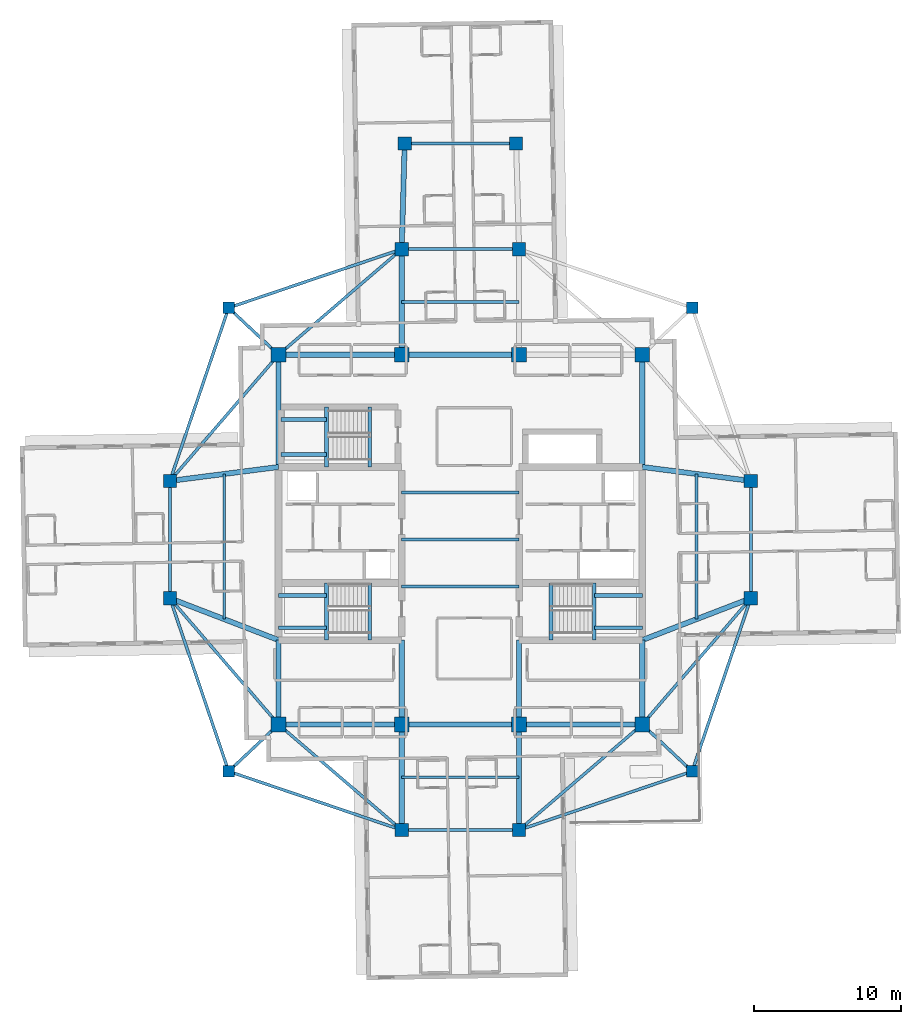
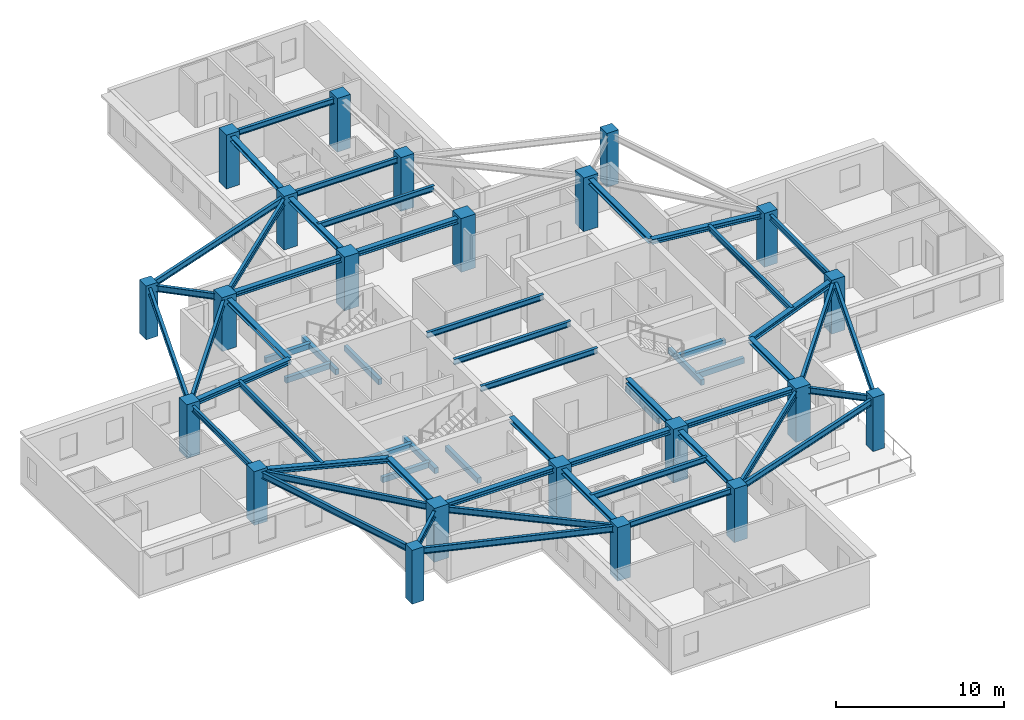
# One storey, part 1 of 13: 58 beams, 22 columns.
"""IFC4 building model written with IfcOpenShell, lengths in metres."""

from ifc_helpers import new_model, si_unit, direction, frame, origin, origin_2d, place, context, subcontext, project, spatial, rectangle, i_section, extrude, material, material_profile, profile_set, type_object, element, save


model = new_model("IFC4")

# Units and contexts
model_context = context("Model", 3, precision=1e-05, world=origin(), true_north=direction((0.0, 1.0)))
body_context = subcontext(model_context, "Body", "Model", "MODEL_VIEW")
ifc_project = project(units=[si_unit("LENGTHUNIT", "METRE"), si_unit("AREAUNIT", "SQUARE_METRE"), si_unit("VOLUMEUNIT", "CUBIC_METRE"), si_unit("PLANEANGLEUNIT", "RADIAN"), si_unit("MASSUNIT", "GRAM", prefix="KILO")], contexts=[model_context])

# Site, building, storey
site_placement = place(None, origin())
site = spatial("IfcSite", under=ifc_project, at=site_placement, CompositionType="ELEMENT")
building_placement = place(site_placement, origin())
building = spatial("IfcBuilding", under=site, at=building_placement, Name="Qingluan Cross Belvedere", CompositionType="ELEMENT")
storey_placement = place(building_placement, frame((0.0, 0.0, 220.800048828125)))
storey = spatial("IfcBuildingStorey", under=building, at=storey_placement, Name="L55", CompositionType="ELEMENT", Elevation=220.800048828125)

# Columns
ifc_material_1 = material(Name="Concrete C50", Category="concrete")
ifc_material_profile_1 = material_profile(ifc_material_1, rectangle(XDim=1.0, YDim=1.0, at=origin_2d()), Name="RC1000x1000")
ifc_profile_set_1 = profile_set([ifc_material_profile_1], Name="Concrete C50")
column_type_1 = type_object("IfcColumnType", Name="Column_RC1000x1000", PredefinedType="COLUMN", material=ifc_profile_set_1)
for number, where, z_axis, x_axis, name in (
    (1, (-12.39990234375, -12.60009765625, 0.0), (0.0, 0.0, 1.0), (1.0, 0.0, 0.0), "Hub column L55-HC1"),
    (2, (12.39990234375, -12.60009765625, 0.0), (0.0, 0.0, 1.0), (1.0, 0.0, 0.0), "Hub column L55-HC2"),
    (3, (12.39990234375, 12.60009765625, 0.0), (0.0, 0.0, 1.0), (1.0, 0.0, 0.0), "Hub column L55-HC3"),
    (4, (-12.39990234375, 12.60009765625, 0.0), (0.0, 0.0, 1.0), (1.0, 0.0, 0.0), "Hub column L55-HC4"),
    (5, (-4.0, -12.60009765625, 0.0), (0.0, 0.0, 1.0), (1.0, 0.0, 0.0), "Hub column L55-HC5"),
    (6, (4.0, -12.60009765625, 0.0), (0.0, 0.0, 1.0), (1.0, 0.0, 0.0), "Hub column L55-HC6"),
    (7, (4.0, 12.60009765625, 0.0), (0.0, 0.0, 1.0), (1.0, 0.0, 0.0), "Hub column L55-HC7"),
    (8, (-4.0, 12.60009765625, 0.0), (0.0, 0.0, 1.0), (1.0, 0.0, 0.0), "Hub column L55-HC8"),
):
    element("IfcColumn", number, at=place(storey_placement, frame(where, z_axis=z_axis, x_axis=x_axis)), inside=storey, type_object=column_type_1, Name=name, PredefinedType="COLUMN", context=body_context, shape_type="SweptSolid", body=[
        extrude(rectangle(XDim=1.0, YDim=1.0, at=origin_2d()), origin(), (0.0, 0.0, 1.0), 3.89990234375),
    ])
ifc_material_2 = material(Name="Concrete C50", Category="concrete")
ifc_material_profile_2 = material_profile(ifc_material_2, rectangle(XDim=0.800048828125, YDim=0.800048828125, at=origin_2d()), Name="RC800x800")
ifc_profile_set_2 = profile_set([ifc_material_profile_2], Name="Concrete C50")
column_type_2 = type_object("IfcColumnType", Name="Column_RC800x800", PredefinedType="COLUMN", material=ifc_profile_set_2)
for number, where, z_axis, x_axis, name in (
    (9, (15.800048828125, 15.800048828125, 0.0), (0.0, 0.0, 1.0), (1.0, 0.0, 0.0), "Corner column L55-RNE"),
    (10, (-15.800048828125, 15.800048828125, 0.0), (0.0, 0.0, 1.0), (1.0, 0.0, 0.0), "Corner column L55-RNW"),
    (11, (-15.800048828125, -15.800048828125, 0.0), (0.0, 0.0, 1.0), (1.0, 0.0, 0.0), "Corner column L55-RSW"),
    (12, (15.800048828125, -15.800048828125, 0.0), (0.0, 0.0, 1.0), (1.0, 0.0, 0.0), "Corner column L55-RSE"),
):
    element("IfcColumn", number, at=place(storey_placement, frame(where, z_axis=z_axis, x_axis=x_axis)), inside=storey, type_object=column_type_2, Name=name, PredefinedType="COLUMN", context=body_context, shape_type="SweptSolid", body=[
        extrude(rectangle(XDim=0.800048828125, YDim=0.800048828125, at=origin_2d()), origin(), (0.0, 0.0, 1.0), 3.89990234375),
    ])
ifc_material_3 = material(Name="Concrete C50", Category="concrete")
ifc_material_profile_3 = material_profile(ifc_material_3, rectangle(XDim=0.89990234375, YDim=0.89990234375, at=origin_2d()), Name="RC900x900")
ifc_profile_set_3 = profile_set([ifc_material_profile_3], Name="Concrete C50")
column_type_3 = type_object("IfcColumnType", Name="Column_RC900x900", PredefinedType="COLUMN", material=ifc_profile_set_3)
for number, where, z_axis, x_axis, name in (
    (13, (19.800048828125, -4.0, 0.0), (0.0, 0.0, 1.0), (1.0, 0.0, 0.0), "Arm column L55-EIA"),
    (14, (19.800048828125, 4.0, 0.0), (0.0, 0.0, 1.0), (1.0, 0.0, 0.0), "Arm column L55-EIB"),
    (15, (-19.800048828125, -4.0, 0.0), (0.0, 0.0, 1.0), (1.0, 0.0, 0.0), "Arm column L55-WIA"),
    (16, (-19.800048828125, 4.0, 0.0), (0.0, 0.0, 1.0), (1.0, 0.0, 0.0), "Arm column L55-WIB"),
    (17, (-4.0, -19.800048828125, 0.0), (0.0, 0.0, 1.0), (1.0, 0.0, 0.0), "Arm column L55-SIA"),
    (18, (4.0, -19.800048828125, 0.0), (0.0, 0.0, 1.0), (1.0, 0.0, 0.0), "Arm column L55-SIB"),
    (19, (-4.0, 19.800048828125, 0.0), (0.0, 0.0, 1.0), (1.0, 0.0, 0.0), "Arm column L55-NIA"),
    (20, (4.0, 19.800048828125, 0.0), (0.0, 0.0, 1.0), (1.0, 0.0, 0.0), "Arm column L55-NIB"),
    (21, (-3.800048828125, 27.0, 0.0), (0.0, 0.0, 1.0), (1.0, 0.0, 0.0), "Arm column L55-NOA"),
    (22, (3.800048828125, 27.0, 0.0), (0.0, 0.0, 1.0), (1.0, 0.0, 0.0), "Arm column L55-NOB"),
):
    element("IfcColumn", number, at=place(storey_placement, frame(where, z_axis=z_axis, x_axis=x_axis)), inside=storey, type_object=column_type_3, Name=name, PredefinedType="COLUMN", context=body_context, shape_type="SweptSolid", body=[
        extrude(rectangle(XDim=0.89990234375, YDim=0.89990234375, at=origin_2d()), origin(), (0.0, 0.0, 1.0), 3.89990234375),
    ])

# Beams
ifc_material_4 = material(Name="Concrete C45", Category="concrete")
ifc_material_profile_4 = material_profile(ifc_material_4, rectangle(XDim=0.25, YDim=0.39990234375, at=origin_2d()), Name="RC250x400")
ifc_profile_set_4 = profile_set([ifc_material_profile_4], Name="Concrete C45")
beam_type_1 = type_object("IfcBeamType", Name="RC_Lintel_RC250x400", PredefinedType="LINTEL", material=ifc_profile_set_4)
for number, where, z_axis, x_axis, name in (
    (23, (-6.179931640625, -6.85009765625, -0.199951171875), (0.0, 1.0, 0.0), (-1.0, 0.0, 0.0), "Stair ST1 landing beam L55"),
    (24, (6.179931640625, -6.85009765625, -0.199951171875), (0.0, 1.0, 0.0), (-1.0, 0.0, 0.0), "Stair ST2 landing beam L55"),
):
    element("IfcBeam", number, at=place(storey_placement, frame(where, z_axis=z_axis, x_axis=x_axis)), inside=storey, type_object=beam_type_1, Name=name, PredefinedType="LINTEL", context=body_context, shape_type="SweptSolid", body=[
        extrude(rectangle(XDim=0.25, YDim=0.39990234375, at=origin_2d()), origin(), (0.0, 0.0, 1.0), 3.89013671875),
    ])
beam_1_placement = place(storey_placement, frame((-6.179931640625, 4.949951171875, -0.199951171875), z_axis=(0.0, 1.0, 0.0), x_axis=(-1.0, 0.0, 0.0)))
element("IfcBeam", 25, at=beam_1_placement, inside=storey, type_object=beam_type_1, Name="Stair ST3 landing beam L55", PredefinedType="LINTEL", context=body_context, shape_type="SweptSolid", body=[
    extrude(rectangle(XDim=0.25, YDim=0.39990234375, at=origin_2d()), origin(), (0.0, 0.0, 1.0), 4.090087890625),
])
beam_2_placement = place(storey_placement, frame((-9.1298828125, -6.85009765625, 1.550048828125), z_axis=(0.0, 1.0, 0.0), x_axis=(-1.0, 0.0, 0.0)))
element("IfcBeam", 26, at=beam_2_placement, inside=storey, type_object=beam_type_1, Name="Stair ST1 beam A L55", PredefinedType="LINTEL", context=body_context, shape_type="SweptSolid", body=[
    extrude(rectangle(XDim=0.25, YDim=0.39990234375, at=origin_2d()), origin(), (0.0, 0.0, 1.0), 3.89013671875),
])
for number, where, z_axis, x_axis, name in (
    (27, (-12.39990234375, -6.0, 1.550048828125), (1.0, 0.0, 0.0), (0.0, 1.0, 0.0), "Stair ST1 beam B L55"),
    (28, (-12.39990234375, -3.81005859375, 1.550048828125), (1.0, 0.0, 0.0), (0.0, 1.0, 0.0), "Stair ST1 beam C L55"),
):
    element("IfcBeam", number, at=place(storey_placement, frame(where, z_axis=z_axis, x_axis=x_axis)), inside=storey, type_object=beam_type_1, Name=name, PredefinedType="LINTEL", context=body_context, shape_type="SweptSolid", body=[
        extrude(rectangle(XDim=0.25, YDim=0.39990234375, at=origin_2d()), origin(), (0.0, 0.0, 1.0), 3.27001953125),
    ])
beam_3_placement = place(storey_placement, frame((9.1298828125, -6.85009765625, 1.550048828125), z_axis=(0.0, 1.0, 0.0), x_axis=(-1.0, 0.0, 0.0)))
element("IfcBeam", 29, at=beam_3_placement, inside=storey, type_object=beam_type_1, Name="Stair ST2 beam A L55", PredefinedType="LINTEL", context=body_context, shape_type="SweptSolid", body=[
    extrude(rectangle(XDim=0.25, YDim=0.39990234375, at=origin_2d()), origin(), (0.0, 0.0, 1.0), 3.89013671875),
])
for number, where, z_axis, x_axis, name in (
    (30, (12.39990234375, -6.0, 1.550048828125), (-1.0, 0.0, 0.0), (0.0, -1.0, 0.0), "Stair ST2 beam B L55"),
    (31, (12.39990234375, -3.81005859375, 1.550048828125), (-1.0, 0.0, 0.0), (0.0, -1.0, 0.0), "Stair ST2 beam C L55"),
):
    element("IfcBeam", number, at=place(storey_placement, frame(where, z_axis=z_axis, x_axis=x_axis)), inside=storey, type_object=beam_type_1, Name=name, PredefinedType="LINTEL", context=body_context, shape_type="SweptSolid", body=[
        extrude(rectangle(XDim=0.25, YDim=0.39990234375, at=origin_2d()), origin(), (0.0, 0.0, 1.0), 3.27001953125),
    ])
beam_4_placement = place(storey_placement, frame((-9.1298828125, 4.949951171875, 1.550048828125), z_axis=(0.0, 1.0, 0.0), x_axis=(-1.0, 0.0, 0.0)))
element("IfcBeam", 32, at=beam_4_placement, inside=storey, type_object=beam_type_1, Name="Stair ST3 beam A L55", PredefinedType="LINTEL", context=body_context, shape_type="SweptSolid", body=[
    extrude(rectangle(XDim=0.25, YDim=0.39990234375, at=origin_2d()), origin(), (0.0, 0.0, 1.0), 4.090087890625),
])
for number, where, z_axis, x_axis, name in (
    (33, (-12.219970703125, 5.800048828125, 1.550048828125), (1.0, 0.0, 0.0), (0.0, 1.0, 0.0), "Stair ST3 beam B L55"),
    (34, (-12.219970703125, 8.18994140625, 1.550048828125), (1.0, 0.0, 0.0), (0.0, 1.0, 0.0), "Stair ST3 beam C L55"),
):
    element("IfcBeam", number, at=place(storey_placement, frame(where, z_axis=z_axis, x_axis=x_axis)), inside=storey, type_object=beam_type_1, Name=name, PredefinedType="LINTEL", context=body_context, shape_type="SweptSolid", body=[
        extrude(rectangle(XDim=0.25, YDim=0.39990234375, at=origin_2d()), origin(), (0.0, 0.0, 1.0), 3.090087890625),
    ])
ifc_material_5 = material(Name="Steel Q420GJB", Category="steel")
ifc_material_profile_5 = material_profile(ifc_material_5, i_section(OverallWidth=0.199951171875, OverallDepth=0.39990234375, WebThickness=0.008056640625, FlangeThickness=0.012939453125, FilletRadius=0.012939453125, at=origin_2d()), Name="HN400x200x8x13")
ifc_profile_set_5 = profile_set([ifc_material_profile_5], Name="Steel Q420GJB")
beam_type_2 = type_object("IfcBeamType", Name="Steel_Beam_HN400x200x8x13", PredefinedType="JOIST", material=ifc_profile_set_5)
for number, where, z_axis, x_axis, name in (
    (35, (-4.0, -3.199951171875, 3.5), (1.0, 0.0, 0.0), (0.0, 1.0, 0.0), "Hall beam L55-CH1"),
    (36, (-4.0, 0.0, 3.5), (1.0, 0.0, 0.0), (0.0, 1.0, 0.0), "Hall beam L55-CH2"),
    (37, (-4.0, 3.199951171875, 3.5), (1.0, 0.0, 0.0), (0.0, 1.0, 0.0), "Hall beam L55-CH3"),
    (38, (19.800048828125, -4.0, 3.5), (0.0, 1.0, 0.0), (-1.0, 0.0, 0.0), "Arm E tie L55"),
):
    element("IfcBeam", number, at=place(storey_placement, frame(where, z_axis=z_axis, x_axis=x_axis)), inside=storey, type_object=beam_type_2, Name=name, PredefinedType="JOIST", context=body_context, shape_type="SweptSolid", body=[
        extrude(i_section(OverallWidth=0.199951171875, OverallDepth=0.39990234375, WebThickness=0.008056640625, FlangeThickness=0.012939453125, FilletRadius=0.012939453125, at=origin_2d()), origin(), (0.0, 0.0, 1.0), 8.0),
    ])
beam_5_placement = place(storey_placement, frame((16.10009765625, -5.425048828125, 3.5), z_axis=(0.0, 1.0, 0.0), x_axis=(-1.0, 0.0, 0.0)))
element("IfcBeam", 39, at=beam_5_placement, inside=storey, type_object=beam_type_2, Name="Arm E beam L55", PredefinedType="JOIST", context=body_context, shape_type="SweptSolid", body=[
    extrude(i_section(OverallWidth=0.199951171875, OverallDepth=0.39990234375, WebThickness=0.008056640625, FlangeThickness=0.012939453125, FilletRadius=0.012939453125, at=origin_2d()), origin(), (0.0, 0.0, 1.0), 9.900146484375),
])
beam_6_placement = place(storey_placement, frame((-19.800048828125, -4.0, 3.5), z_axis=(0.0, 1.0, 0.0), x_axis=(-1.0, 0.0, 0.0)))
element("IfcBeam", 40, at=beam_6_placement, inside=storey, type_object=beam_type_2, Name="Arm W tie L55", PredefinedType="JOIST", context=body_context, shape_type="SweptSolid", body=[
    extrude(i_section(OverallWidth=0.199951171875, OverallDepth=0.39990234375, WebThickness=0.008056640625, FlangeThickness=0.012939453125, FilletRadius=0.012939453125, at=origin_2d()), origin(), (0.0, 0.0, 1.0), 8.0),
])
beam_7_placement = place(storey_placement, frame((-16.10009765625, -5.425048828125, 3.5), z_axis=(0.0, 1.0, 0.0), x_axis=(-1.0, 0.0, 0.0)))
element("IfcBeam", 41, at=beam_7_placement, inside=storey, type_object=beam_type_2, Name="Arm W beam L55", PredefinedType="JOIST", context=body_context, shape_type="SweptSolid", body=[
    extrude(i_section(OverallWidth=0.199951171875, OverallDepth=0.39990234375, WebThickness=0.008056640625, FlangeThickness=0.012939453125, FilletRadius=0.012939453125, at=origin_2d()), origin(), (0.0, 0.0, 1.0), 9.900146484375),
])
for number, where, z_axis, x_axis, name in (
    (42, (-4.0, 19.800048828125, 3.5), (1.0, 0.0, 0.0), (0.0, 1.0, 0.0), "Arm N tie L55"),
    (43, (-4.0, 16.199951171875, 3.5), (1.0, 0.0, 0.0), (0.0, 1.0, 0.0), "Arm N beam L55"),
):
    element("IfcBeam", number, at=place(storey_placement, frame(where, z_axis=z_axis, x_axis=x_axis)), inside=storey, type_object=beam_type_2, Name=name, PredefinedType="JOIST", context=body_context, shape_type="SweptSolid", body=[
        extrude(i_section(OverallWidth=0.199951171875, OverallDepth=0.39990234375, WebThickness=0.008056640625, FlangeThickness=0.012939453125, FilletRadius=0.012939453125, at=origin_2d()), origin(), (0.0, 0.0, 1.0), 8.0),
    ])
beam_8_placement = place(storey_placement, frame((-3.800048828125, 27.0, 3.5), z_axis=(1.0, 0.0, 0.0), x_axis=(0.0, 1.0, 0.0)))
element("IfcBeam", 44, at=beam_8_placement, inside=storey, type_object=beam_type_2, Name="Arm N tip transverse beam L55", PredefinedType="JOIST", context=body_context, shape_type="SweptSolid", body=[
    extrude(i_section(OverallWidth=0.199951171875, OverallDepth=0.39990234375, WebThickness=0.008056640625, FlangeThickness=0.012939453125, FilletRadius=0.012939453125, at=origin_2d()), origin(), (0.0, 0.0, 1.0), 7.60009765625),
])
for number, where, z_axis, x_axis, name in (
    (45, (-4.0, -19.800048828125, 3.5), (1.0, 0.0, 0.0), (0.0, 1.0, 0.0), "Arm S tie L55"),
    (46, (-4.0, -16.199951171875, 3.5), (1.0, 0.0, 0.0), (0.0, 1.0, 0.0), "Arm S beam L55"),
):
    element("IfcBeam", number, at=place(storey_placement, frame(where, z_axis=z_axis, x_axis=x_axis)), inside=storey, type_object=beam_type_2, Name=name, PredefinedType="JOIST", context=body_context, shape_type="SweptSolid", body=[
        extrude(i_section(OverallWidth=0.199951171875, OverallDepth=0.39990234375, WebThickness=0.008056640625, FlangeThickness=0.012939453125, FilletRadius=0.012939453125, at=origin_2d()), origin(), (0.0, 0.0, 1.0), 8.0),
    ])
ifc_material_6 = material(Name="Steel Q420GJB", Category="steel")
ifc_material_profile_6 = material_profile(ifc_material_6, i_section(OverallWidth=0.199951171875, OverallDepth=0.449951171875, WebThickness=0.009033203125, FlangeThickness=0.013916015625, FilletRadius=0.01611328125, at=origin_2d()), Name="HN450x200x9x14")
ifc_profile_set_6 = profile_set([ifc_material_profile_6], Name="Steel Q420GJB")
beam_type_3 = type_object("IfcBeamType", Name="Steel_Beam_HN450x200x9x14", PredefinedType="JOIST", material=ifc_profile_set_6)
beam_9_placement = place(storey_placement, frame((-12.39990234375, 12.60009765625, 3.474853515625), z_axis=(-0.728219948308, 0.685343495546, 0.0), x_axis=(-0.685343495546, -0.728219948308, 0.0)))
element("IfcBeam", 47, at=beam_9_placement, inside=storey, type_object=beam_type_3, Name="Corner beam 1 L55-RNW", PredefinedType="JOIST", context=body_context, shape_type="SweptSolid", body=[
    extrude(i_section(OverallWidth=0.199951171875, OverallDepth=0.449951171875, WebThickness=0.009033203125, FlangeThickness=0.013916015625, FilletRadius=0.01611328125, at=origin_2d()), origin(), (0.0, 0.0, 1.0), 4.669189453125),
])
for number, where, z_axis, x_axis, name in (
    (48, (-15.800048828125, 15.800048828125, 3.474853515625), (0.947066283324, 0.321038089628, 0.0), (-0.321038089628, 0.947066283324, 0.0), "Corner beam 2 L55-RNW"),
    (49, (-15.800048828125, 15.800048828125, 3.474853515625), (-0.321038089628, -0.947066283324, 0.0), (0.947066283324, -0.321038089628, 0.0), "Corner beam 3 L55-RNW"),
):
    element("IfcBeam", number, at=place(storey_placement, frame(where, z_axis=z_axis, x_axis=x_axis)), inside=storey, type_object=beam_type_3, Name=name, PredefinedType="JOIST", context=body_context, shape_type="SweptSolid", body=[
        extrude(i_section(OverallWidth=0.199951171875, OverallDepth=0.449951171875, WebThickness=0.009033203125, FlangeThickness=0.013916015625, FilletRadius=0.01611328125, at=origin_2d()), origin(), (0.0, 0.0, 1.0), 12.45947265625),
    ])
beam_10_placement = place(storey_placement, frame((-12.39990234375, 12.60009765625, 3.474853515625), z_axis=(-0.652245077546, -0.75800815221, 0.0), x_axis=(0.75800815221, -0.652245077546, 0.0)))
element("IfcBeam", 50, at=beam_10_placement, inside=storey, type_object=beam_type_3, Name="Corner beam 4 L55-RNW", PredefinedType="JOIST", context=body_context, shape_type="SweptSolid", body=[
    extrude(i_section(OverallWidth=0.199951171875, OverallDepth=0.449951171875, WebThickness=0.009033203125, FlangeThickness=0.013916015625, FilletRadius=0.01611328125, at=origin_2d()), origin(), (0.0, 0.0, 1.0), 11.345703125),
])
beam_11_placement = place(storey_placement, frame((-12.39990234375, 12.60009765625, 3.474853515625), z_axis=(0.759255044656, 0.650793190779, 0.0), x_axis=(-0.650793190779, 0.759255044656, 0.0)))
element("IfcBeam", 51, at=beam_11_placement, inside=storey, type_object=beam_type_3, Name="Corner beam 5 L55-RNW", PredefinedType="JOIST", context=body_context, shape_type="SweptSolid", body=[
    extrude(i_section(OverallWidth=0.199951171875, OverallDepth=0.449951171875, WebThickness=0.009033203125, FlangeThickness=0.013916015625, FilletRadius=0.01611328125, at=origin_2d()), origin(), (0.0, 0.0, 1.0), 11.063232421875),
])
beam_12_placement = place(storey_placement, frame((-12.39990234375, -12.60009765625, 3.474853515625), z_axis=(-0.728219948308, -0.685343495546, 0.0), x_axis=(0.685343495546, -0.728219948308, 0.0)))
element("IfcBeam", 52, at=beam_12_placement, inside=storey, type_object=beam_type_3, Name="Corner beam 1 L55-RSW", PredefinedType="JOIST", context=body_context, shape_type="SweptSolid", body=[
    extrude(i_section(OverallWidth=0.199951171875, OverallDepth=0.449951171875, WebThickness=0.009033203125, FlangeThickness=0.013916015625, FilletRadius=0.01611328125, at=origin_2d()), origin(), (0.0, 0.0, 1.0), 4.669189453125),
])
for number, where, z_axis, x_axis, name in (
    (53, (-15.800048828125, -15.800048828125, 3.474853515625), (0.947066283324, -0.321038089628, 0.0), (0.321038089628, 0.947066283324, 0.0), "Corner beam 2 L55-RSW"),
    (54, (-15.800048828125, -15.800048828125, 3.474853515625), (-0.321038089628, 0.947066283324, 0.0), (-0.947066283324, -0.321038089628, 0.0), "Corner beam 3 L55-RSW"),
):
    element("IfcBeam", number, at=place(storey_placement, frame(where, z_axis=z_axis, x_axis=x_axis)), inside=storey, type_object=beam_type_3, Name=name, PredefinedType="JOIST", context=body_context, shape_type="SweptSolid", body=[
        extrude(i_section(OverallWidth=0.199951171875, OverallDepth=0.449951171875, WebThickness=0.009033203125, FlangeThickness=0.013916015625, FilletRadius=0.01611328125, at=origin_2d()), origin(), (0.0, 0.0, 1.0), 12.45947265625),
    ])
beam_13_placement = place(storey_placement, frame((-12.39990234375, -12.60009765625, 3.474853515625), z_axis=(-0.652245077546, 0.75800815221, 0.0), x_axis=(-0.75800815221, -0.652245077546, 0.0)))
element("IfcBeam", 55, at=beam_13_placement, inside=storey, type_object=beam_type_3, Name="Corner beam 4 L55-RSW", PredefinedType="JOIST", context=body_context, shape_type="SweptSolid", body=[
    extrude(i_section(OverallWidth=0.199951171875, OverallDepth=0.449951171875, WebThickness=0.009033203125, FlangeThickness=0.013916015625, FilletRadius=0.01611328125, at=origin_2d()), origin(), (0.0, 0.0, 1.0), 11.345703125),
])
beam_14_placement = place(storey_placement, frame((-12.39990234375, -12.60009765625, 3.474853515625), z_axis=(0.759255044656, -0.650793190779, 0.0), x_axis=(0.650793190779, 0.759255044656, 0.0)))
element("IfcBeam", 56, at=beam_14_placement, inside=storey, type_object=beam_type_3, Name="Corner beam 5 L55-RSW", PredefinedType="JOIST", context=body_context, shape_type="SweptSolid", body=[
    extrude(i_section(OverallWidth=0.199951171875, OverallDepth=0.449951171875, WebThickness=0.009033203125, FlangeThickness=0.013916015625, FilletRadius=0.01611328125, at=origin_2d()), origin(), (0.0, 0.0, 1.0), 11.063232421875),
])
beam_15_placement = place(storey_placement, frame((12.39990234375, -12.60009765625, 3.454833984375), z_axis=(0.728219948308, -0.685343495546, 0.0), x_axis=(0.685343495546, 0.728219948308, 0.0)))
element("IfcBeam", 57, at=beam_15_placement, inside=storey, type_object=beam_type_3, Name="Corner beam 1 L55-RSE", PredefinedType="JOIST", context=body_context, shape_type="SweptSolid", body=[
    extrude(i_section(OverallWidth=0.199951171875, OverallDepth=0.449951171875, WebThickness=0.009033203125, FlangeThickness=0.013916015625, FilletRadius=0.01611328125, at=origin_2d()), origin(), (0.0, 0.0, 1.0), 4.669189453125),
])
for number, where, z_axis, x_axis, name in (
    (58, (15.800048828125, -15.800048828125, 3.454833984375), (-0.947066283324, -0.321038089628, 0.0), (0.321038089628, -0.947066283324, 0.0), "Corner beam 2 L55-RSE"),
    (59, (15.800048828125, -15.800048828125, 3.454833984375), (0.321038089628, 0.947066283324, 0.0), (-0.947066283324, 0.321038089628, 0.0), "Corner beam 3 L55-RSE"),
):
    element("IfcBeam", number, at=place(storey_placement, frame(where, z_axis=z_axis, x_axis=x_axis)), inside=storey, type_object=beam_type_3, Name=name, PredefinedType="JOIST", context=body_context, shape_type="SweptSolid", body=[
        extrude(i_section(OverallWidth=0.199951171875, OverallDepth=0.449951171875, WebThickness=0.009033203125, FlangeThickness=0.013916015625, FilletRadius=0.01611328125, at=origin_2d()), origin(), (0.0, 0.0, 1.0), 12.45947265625),
    ])
beam_16_placement = place(storey_placement, frame((12.39990234375, -12.60009765625, 3.454833984375), z_axis=(0.652245077546, 0.75800815221, 0.0), x_axis=(-0.75800815221, 0.652245077546, 0.0)))
element("IfcBeam", 60, at=beam_16_placement, inside=storey, type_object=beam_type_3, Name="Corner beam 4 L55-RSE", PredefinedType="JOIST", context=body_context, shape_type="SweptSolid", body=[
    extrude(i_section(OverallWidth=0.199951171875, OverallDepth=0.449951171875, WebThickness=0.009033203125, FlangeThickness=0.013916015625, FilletRadius=0.01611328125, at=origin_2d()), origin(), (0.0, 0.0, 1.0), 11.345703125),
])
beam_17_placement = place(storey_placement, frame((12.39990234375, -12.60009765625, 3.454833984375), z_axis=(-0.759255044656, -0.650793190779, 0.0), x_axis=(0.650793190779, -0.759255044656, 0.0)))
element("IfcBeam", 61, at=beam_17_placement, inside=storey, type_object=beam_type_3, Name="Corner beam 5 L55-RSE", PredefinedType="JOIST", context=body_context, shape_type="SweptSolid", body=[
    extrude(i_section(OverallWidth=0.199951171875, OverallDepth=0.449951171875, WebThickness=0.009033203125, FlangeThickness=0.013916015625, FilletRadius=0.01611328125, at=origin_2d()), origin(), (0.0, 0.0, 1.0), 11.063232421875),
])
ifc_material_7 = material(Name="Steel Q420GJB", Category="steel")
ifc_material_profile_7 = material_profile(ifc_material_7, i_section(OverallWidth=0.35009765625, OverallDepth=0.35009765625, WebThickness=0.011962890625, FlangeThickness=0.01904296875, FilletRadius=0.02001953125, at=origin_2d()), Name="HW350x350x12x19")
ifc_profile_set_7 = profile_set([ifc_material_profile_7], Name="Steel Q420GJB")
beam_type_4 = type_object("IfcBeamType", Name="Steel_Girder_HW350x350x12x19", PredefinedType="USERDEFINED", material=ifc_profile_set_7)
beam_18_placement = place(storey_placement, frame((-12.39990234375, -12.60009765625, 3.52490234375), z_axis=(1.0, 0.0, 0.0), x_axis=(0.0, 1.0, 0.0)))
element("IfcBeam", 62, at=beam_18_placement, inside=storey, type_object=beam_type_4, Name="Hub girder L55-HG-S1", ObjectType="GIRDER", PredefinedType="USERDEFINED", context=body_context, shape_type="SweptSolid", body=[
    extrude(i_section(OverallWidth=0.35009765625, OverallDepth=0.35009765625, WebThickness=0.011962890625, FlangeThickness=0.01904296875, FilletRadius=0.02001953125, at=origin_2d()), origin(), (0.0, 0.0, 1.0), 8.39990234375),
])
beam_19_placement = place(storey_placement, frame((-4.0, -12.60009765625, 3.52490234375), z_axis=(1.0, 0.0, 0.0), x_axis=(0.0, 1.0, 0.0)))
element("IfcBeam", 63, at=beam_19_placement, inside=storey, type_object=beam_type_4, Name="Hub girder L55-HG-S2", ObjectType="GIRDER", PredefinedType="USERDEFINED", context=body_context, shape_type="SweptSolid", body=[
    extrude(i_section(OverallWidth=0.35009765625, OverallDepth=0.35009765625, WebThickness=0.011962890625, FlangeThickness=0.01904296875, FilletRadius=0.02001953125, at=origin_2d()), origin(), (0.0, 0.0, 1.0), 8.0),
])
for number, where, z_axis, x_axis, name in (
    (64, (4.0, -12.60009765625, 3.52490234375), (1.0, 0.0, 0.0), (0.0, 1.0, 0.0), "Hub girder L55-HG-S3"),
    (65, (-12.39990234375, 12.60009765625, 3.52490234375), (1.0, 0.0, 0.0), (0.0, 1.0, 0.0), "Hub girder L55-HG-N1"),
):
    element("IfcBeam", number, at=place(storey_placement, frame(where, z_axis=z_axis, x_axis=x_axis)), inside=storey, type_object=beam_type_4, Name=name, ObjectType="GIRDER", PredefinedType="USERDEFINED", context=body_context, shape_type="SweptSolid", body=[
        extrude(i_section(OverallWidth=0.35009765625, OverallDepth=0.35009765625, WebThickness=0.011962890625, FlangeThickness=0.01904296875, FilletRadius=0.02001953125, at=origin_2d()), origin(), (0.0, 0.0, 1.0), 8.39990234375),
    ])
beam_20_placement = place(storey_placement, frame((-4.0, 12.60009765625, 3.52490234375), z_axis=(1.0, 0.0, 0.0), x_axis=(0.0, 1.0, 0.0)))
element("IfcBeam", 66, at=beam_20_placement, inside=storey, type_object=beam_type_4, Name="Hub girder L55-HG-N2", ObjectType="GIRDER", PredefinedType="USERDEFINED", context=body_context, shape_type="SweptSolid", body=[
    extrude(i_section(OverallWidth=0.35009765625, OverallDepth=0.35009765625, WebThickness=0.011962890625, FlangeThickness=0.01904296875, FilletRadius=0.02001953125, at=origin_2d()), origin(), (0.0, 0.0, 1.0), 8.0),
])
beam_21_placement = place(storey_placement, frame((-12.39990234375, -12.60009765625, 3.52490234375), z_axis=(0.0, 1.0, 0.0), x_axis=(-1.0, 0.0, 0.0)))
element("IfcBeam", 67, at=beam_21_placement, inside=storey, type_object=beam_type_4, Name="Hub girder L55-HG-W1", ObjectType="GIRDER", PredefinedType="USERDEFINED", context=body_context, shape_type="SweptSolid", body=[
    extrude(i_section(OverallWidth=0.35009765625, OverallDepth=0.35009765625, WebThickness=0.011962890625, FlangeThickness=0.01904296875, FilletRadius=0.02001953125, at=origin_2d()), origin(), (0.0, 0.0, 1.0), 5.75),
])
beam_22_placement = place(storey_placement, frame((-12.39990234375, 4.949951171875, 3.52490234375), z_axis=(0.0, 1.0, 0.0), x_axis=(-1.0, 0.0, 0.0)))
element("IfcBeam", 68, at=beam_22_placement, inside=storey, type_object=beam_type_4, Name="Hub girder L55-HG-W2", ObjectType="GIRDER", PredefinedType="USERDEFINED", context=body_context, shape_type="SweptSolid", body=[
    extrude(i_section(OverallWidth=0.35009765625, OverallDepth=0.35009765625, WebThickness=0.011962890625, FlangeThickness=0.01904296875, FilletRadius=0.02001953125, at=origin_2d()), origin(), (0.0, 0.0, 1.0), 7.650146484375),
])
beam_23_placement = place(storey_placement, frame((12.39990234375, -12.60009765625, 3.52490234375), z_axis=(0.0, 1.0, 0.0), x_axis=(-1.0, 0.0, 0.0)))
element("IfcBeam", 69, at=beam_23_placement, inside=storey, type_object=beam_type_4, Name="Hub girder L55-HG-E1", ObjectType="GIRDER", PredefinedType="USERDEFINED", context=body_context, shape_type="SweptSolid", body=[
    extrude(i_section(OverallWidth=0.35009765625, OverallDepth=0.35009765625, WebThickness=0.011962890625, FlangeThickness=0.01904296875, FilletRadius=0.02001953125, at=origin_2d()), origin(), (0.0, 0.0, 1.0), 5.75),
])
beam_24_placement = place(storey_placement, frame((12.39990234375, 4.949951171875, 3.52490234375), z_axis=(0.0, 1.0, 0.0), x_axis=(-1.0, 0.0, 0.0)))
element("IfcBeam", 70, at=beam_24_placement, inside=storey, type_object=beam_type_4, Name="Hub girder L55-HG-E2", ObjectType="GIRDER", PredefinedType="USERDEFINED", context=body_context, shape_type="SweptSolid", body=[
    extrude(i_section(OverallWidth=0.35009765625, OverallDepth=0.35009765625, WebThickness=0.011962890625, FlangeThickness=0.01904296875, FilletRadius=0.02001953125, at=origin_2d()), origin(), (0.0, 0.0, 1.0), 7.650146484375),
])
for number, where, z_axis, x_axis, name in (
    (71, (-4.0, -12.60009765625, 3.52490234375), (0.0, 1.0, 0.0), (-1.0, 0.0, 0.0), "Hub girder L55-HG-CW"),
    (72, (4.0, -12.60009765625, 3.52490234375), (0.0, 1.0, 0.0), (-1.0, 0.0, 0.0), "Hub girder L55-HG-CE"),
):
    element("IfcBeam", number, at=place(storey_placement, frame(where, z_axis=z_axis, x_axis=x_axis)), inside=storey, type_object=beam_type_4, Name=name, ObjectType="GIRDER", PredefinedType="USERDEFINED", context=body_context, shape_type="SweptSolid", body=[
        extrude(i_section(OverallWidth=0.35009765625, OverallDepth=0.35009765625, WebThickness=0.011962890625, FlangeThickness=0.01904296875, FilletRadius=0.02001953125, at=origin_2d()), origin(), (0.0, 0.0, 1.0), 5.75),
    ])
beam_25_placement = place(storey_placement, frame((12.39990234375, -6.85009765625, 3.52490234375), z_axis=(0.933181258889, 0.359406090735, 0.0), x_axis=(-0.359406090735, 0.933181258889, 0.0)))
element("IfcBeam", 73, at=beam_25_placement, inside=storey, type_object=beam_type_4, Name="Arm E radial girder A L55", ObjectType="GIRDER", PredefinedType="USERDEFINED", context=body_context, shape_type="SweptSolid", body=[
    extrude(i_section(OverallWidth=0.35009765625, OverallDepth=0.35009765625, WebThickness=0.011962890625, FlangeThickness=0.01904296875, FilletRadius=0.02001953125, at=origin_2d()), origin(), (0.0, 0.0, 1.0), 7.929931640625),
])
beam_26_placement = place(storey_placement, frame((12.39990234375, 4.949951171875, 3.52490234375), z_axis=(0.991861120628, -0.12732445714, 0.0), x_axis=(0.12732445714, 0.991861120628, 0.0)))
element("IfcBeam", 74, at=beam_26_placement, inside=storey, type_object=beam_type_4, Name="Arm E radial girder B L55", ObjectType="GIRDER", PredefinedType="USERDEFINED", context=body_context, shape_type="SweptSolid", body=[
    extrude(i_section(OverallWidth=0.35009765625, OverallDepth=0.35009765625, WebThickness=0.011962890625, FlangeThickness=0.01904296875, FilletRadius=0.02001953125, at=origin_2d()), origin(), (0.0, 0.0, 1.0), 7.4609375),
])
beam_27_placement = place(storey_placement, frame((-12.39990234375, -6.85009765625, 3.52490234375), z_axis=(-0.933181258889, 0.359406090735, 0.0), x_axis=(-0.359406090735, -0.933181258889, 0.0)))
element("IfcBeam", 75, at=beam_27_placement, inside=storey, type_object=beam_type_4, Name="Arm W radial girder A L55", ObjectType="GIRDER", PredefinedType="USERDEFINED", context=body_context, shape_type="SweptSolid", body=[
    extrude(i_section(OverallWidth=0.35009765625, OverallDepth=0.35009765625, WebThickness=0.011962890625, FlangeThickness=0.01904296875, FilletRadius=0.02001953125, at=origin_2d()), origin(), (0.0, 0.0, 1.0), 7.929931640625),
])
beam_28_placement = place(storey_placement, frame((-12.39990234375, 4.949951171875, 3.52490234375), z_axis=(-0.991861120628, -0.12732445714, 0.0), x_axis=(0.12732445714, -0.991861120628, 0.0)))
element("IfcBeam", 76, at=beam_28_placement, inside=storey, type_object=beam_type_4, Name="Arm W radial girder B L55", ObjectType="GIRDER", PredefinedType="USERDEFINED", context=body_context, shape_type="SweptSolid", body=[
    extrude(i_section(OverallWidth=0.35009765625, OverallDepth=0.35009765625, WebThickness=0.011962890625, FlangeThickness=0.01904296875, FilletRadius=0.02001953125, at=origin_2d()), origin(), (0.0, 0.0, 1.0), 7.4609375),
])
beam_29_placement = place(storey_placement, frame((-4.0, 12.60009765625, 3.52490234375), z_axis=(0.0, 1.0, 0.0), x_axis=(-1.0, 0.0, 0.0)))
element("IfcBeam", 77, at=beam_29_placement, inside=storey, type_object=beam_type_4, Name="Arm N radial girder A L55", ObjectType="GIRDER", PredefinedType="USERDEFINED", context=body_context, shape_type="SweptSolid", body=[
    extrude(i_section(OverallWidth=0.35009765625, OverallDepth=0.35009765625, WebThickness=0.011962890625, FlangeThickness=0.01904296875, FilletRadius=0.02001953125, at=origin_2d()), origin(), (0.0, 0.0, 1.0), 7.199951171875),
])
beam_30_placement = place(storey_placement, frame((-4.0, 19.800048828125, 3.52490234375), z_axis=(0.027760481514, 0.999614603568, 0.0), x_axis=(-0.999614603568, 0.027760481514, 0.0)))
element("IfcBeam", 78, at=beam_30_placement, inside=storey, type_object=beam_type_4, Name="Arm N outer radial girder A L55", ObjectType="GIRDER", PredefinedType="USERDEFINED", context=body_context, shape_type="SweptSolid", body=[
    extrude(i_section(OverallWidth=0.35009765625, OverallDepth=0.35009765625, WebThickness=0.011962890625, FlangeThickness=0.01904296875, FilletRadius=0.02001953125, at=origin_2d()), origin(), (0.0, 0.0, 1.0), 7.20263671875),
])
for number, where, z_axis, x_axis, name in (
    (79, (-4.0, -12.60009765625, 3.52490234375), (0.0, -1.0, 0.0), (1.0, 0.0, 0.0), "Arm S radial girder A L55"),
    (80, (4.0, -12.60009765625, 3.52490234375), (0.0, -1.0, 0.0), (1.0, 0.0, 0.0), "Arm S radial girder B L55"),
):
    element("IfcBeam", number, at=place(storey_placement, frame(where, z_axis=z_axis, x_axis=x_axis)), inside=storey, type_object=beam_type_4, Name=name, ObjectType="GIRDER", PredefinedType="USERDEFINED", context=body_context, shape_type="SweptSolid", body=[
        extrude(i_section(OverallWidth=0.35009765625, OverallDepth=0.35009765625, WebThickness=0.011962890625, FlangeThickness=0.01904296875, FilletRadius=0.02001953125, at=origin_2d()), origin(), (0.0, 0.0, 1.0), 7.199951171875),
    ])

save(model, "model.ifc")
